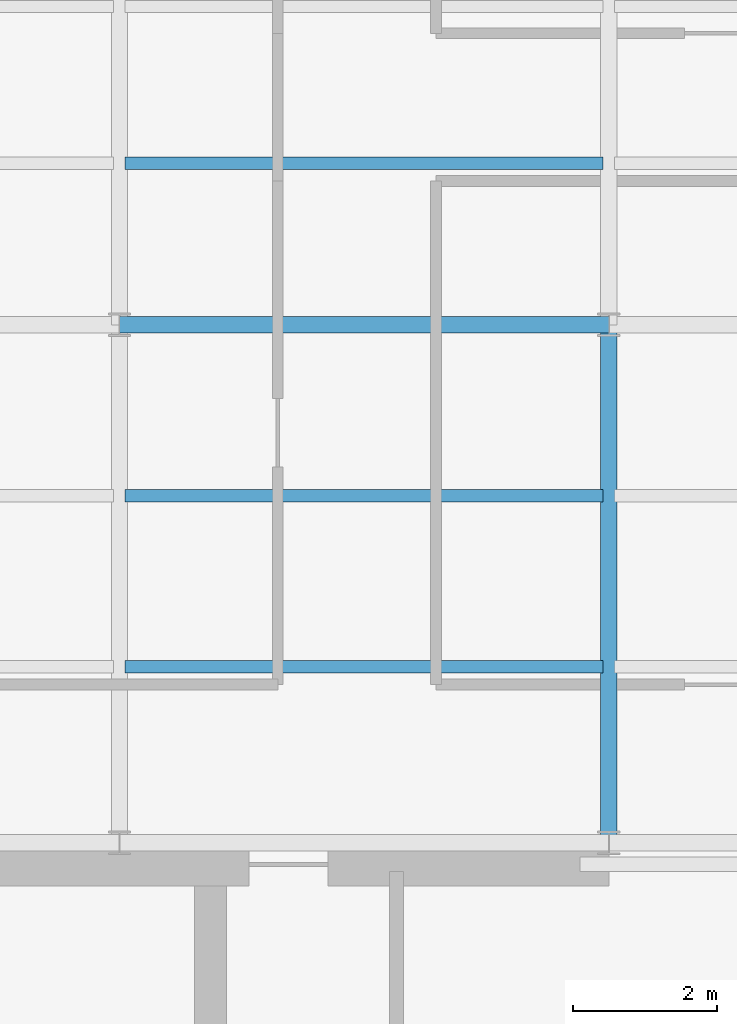
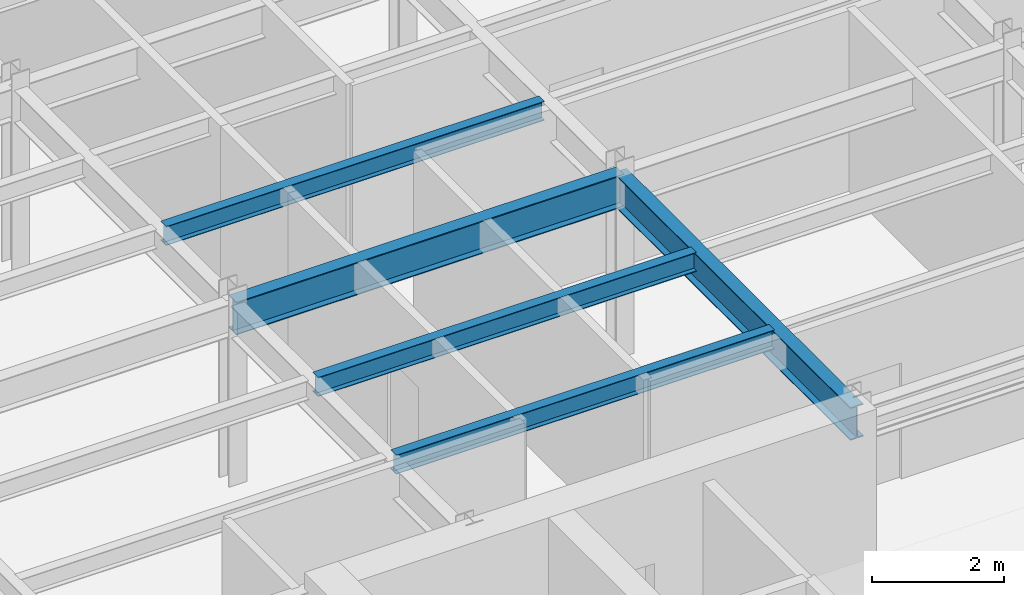
# One storey, part 6 of 22: 5 beams.
"""IFC4 building model written with IfcOpenShell, lengths in metres."""

from ifc_helpers import new_model, si_unit, derived_unit, direction, frame, origin, origin_2d, place, context, subcontext, project, spatial, i_section, extrude, source, transform, mapped, material, material_profile, profile_set, type_object, element, save


model = new_model("IFC4")

# Units and contexts
model_context = context("Model", 3, precision=1e-05, world=origin(), true_north=direction((0.0, 1.0)))
body_context = subcontext(model_context, "Body", "Model", "MODEL_VIEW")
ifc_project = project(units=[si_unit("LENGTHUNIT", "METRE"), si_unit("AREAUNIT", "SQUARE_METRE"), si_unit("VOLUMEUNIT", "CUBIC_METRE"), si_unit("PLANEANGLEUNIT", "RADIAN"), si_unit("MASSUNIT", "GRAM", prefix="KILO"), derived_unit("THERMALTRANSMITTANCEUNIT", [(si_unit("POWERUNIT", "WATT"), 1), (si_unit("LENGTHUNIT", "METRE"), -2), (si_unit("THERMODYNAMICTEMPERATUREUNIT", "KELVIN"), -1)])], contexts=[model_context])

# Site, building, storey
site_placement = place(None, origin())
site = spatial("IfcSite", under=ifc_project, at=site_placement, CompositionType="ELEMENT")
building_placement = place(site_placement, origin())
building = spatial("IfcBuilding", under=site, at=building_placement, Name="Skarnbrae Concourse Arena and Tower", CompositionType="ELEMENT")
storey_placement = place(building_placement, frame((0.0, 0.0, 232.39990234375)))
storey = spatial("IfcBuildingStorey", under=building, at=storey_placement, Name="L60", CompositionType="ELEMENT", Elevation=232.39990234375)

# Beams
ifc_material = material(Name="Steel CSA G40.21 350W", Category="steel")
ifc_material_profile_1 = material_profile(ifc_material, i_section(OverallWidth=0.22802734375, OverallDepth=0.60791015625, WebThickness=0.01123046875, FlangeThickness=0.017333984375, at=origin_2d()), Name="W610X113")
ifc_profile_set_1 = profile_set([ifc_material_profile_1], Name="Steel CSA G40.21 350W")
beam_type_1 = type_object("IfcBeamType", Name="BM-GIRD-W610X113", PredefinedType="BEAM", material=ifc_profile_set_1)
shared_shape_1 = source(origin(), body_context, "Body", "SweptSolid", [
    extrude(i_section(OverallWidth=0.22802734375, OverallDepth=0.60791015625, WebThickness=0.01123046875, FlangeThickness=0.017333984375, at=origin_2d()), origin(), (0.0, 0.0, 1.0), 6.7998046875),
])
beam_1_placement = place(storey_placement, frame((7.60009765625, 21.199951171875, 3.046142578125), z_axis=(1.0, 0.0, 0.0), x_axis=(0.0, 1.0, 0.0)))
element("IfcBeam", 1, at=beam_1_placement, inside=storey, type_object=beam_type_1, Name="L60 Primary E-W girder Y21.2-2", PredefinedType="BEAM", context=body_context, shape_type="MappedRepresentation", body=[
    mapped(shared_shape_1, transform((0.0, 0.0, 0.0))),
])
shared_shape_2 = source(origin(), body_context, "Body", "SweptSolid", [
    extrude(i_section(OverallWidth=0.22802734375, OverallDepth=0.60791015625, WebThickness=0.01123046875, FlangeThickness=0.017333984375, at=origin_2d()), origin(), (0.0, 0.0, 1.0), 7.199951171875),
])
beam_2_placement = place(storey_placement, frame((14.39990234375, 14.0, 3.046142578125), z_axis=(0.0, 1.0, 0.0), x_axis=(-1.0, 0.0, 0.0)))
element("IfcBeam", 2, at=beam_2_placement, inside=storey, type_object=beam_type_1, Name="L60 Primary N-S girder X14.4-1", PredefinedType="BEAM", context=body_context, shape_type="MappedRepresentation", body=[
    mapped(shared_shape_2, transform((0.0, 0.0, 0.0))),
])
ifc_material_profile_2 = material_profile(ifc_material, i_section(OverallWidth=0.1708984375, OverallDepth=0.35498046875, WebThickness=0.007080078125, FlangeThickness=0.01171875, at=origin_2d()), Name="W360X51")
ifc_profile_set_2 = profile_set([ifc_material_profile_2], Name="Steel CSA G40.21 350W")
beam_type_2 = type_object("IfcBeamType", Name="BM-JOIST-W360X51", PredefinedType="JOIST", material=ifc_profile_set_2)
shared_shape_3 = source(origin(), body_context, "Body", "SweptSolid", [
    extrude(i_section(OverallWidth=0.1708984375, OverallDepth=0.35498046875, WebThickness=0.007080078125, FlangeThickness=0.01171875, at=origin_2d()), origin(), (0.0, 0.0, 1.0), 6.64013671875),
])
for number, where, z_axis, x_axis, name in (
    (3, (7.679931640625, 16.447998046875, 3.172607421875), (1.0, 0.0, 0.0), (0.0, 1.0, 0.0), "L60 Secondary floor joist 1.1.2"),
    (4, (7.679931640625, 18.823974609375, 3.172607421875), (1.0, 0.0, 0.0), (0.0, 1.0, 0.0), "L60 Secondary floor joist 1.2.2"),
    (5, (7.679931640625, 23.444091796875, 3.172607421875), (1.0, 0.0, 0.0), (0.0, 1.0, 0.0), "L60 Secondary floor joist 2.1.2"),
):
    element("IfcBeam", number, at=place(storey_placement, frame(where, z_axis=z_axis, x_axis=x_axis)), inside=storey, type_object=beam_type_2, Name=name, PredefinedType="JOIST", context=body_context, shape_type="MappedRepresentation", body=[
        mapped(shared_shape_3, transform((0.0, 0.0, 0.0))),
    ])

save(model, "model.ifc")
